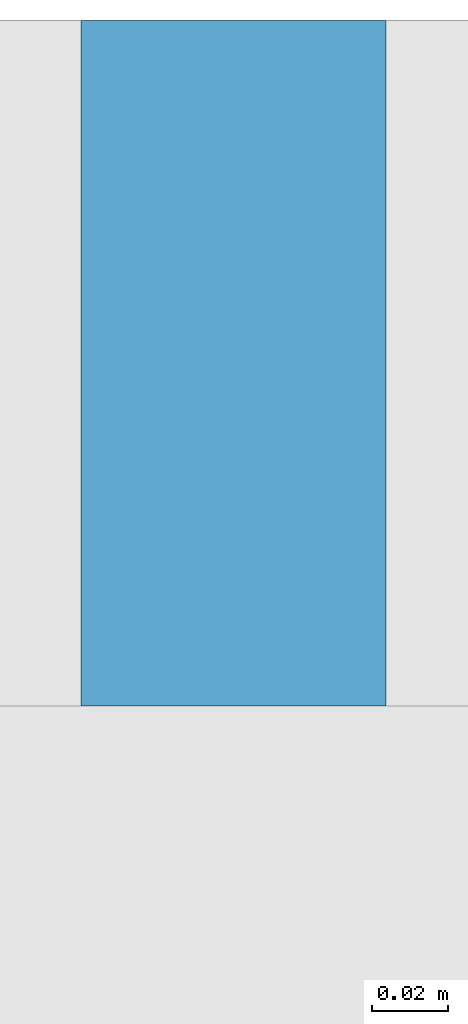
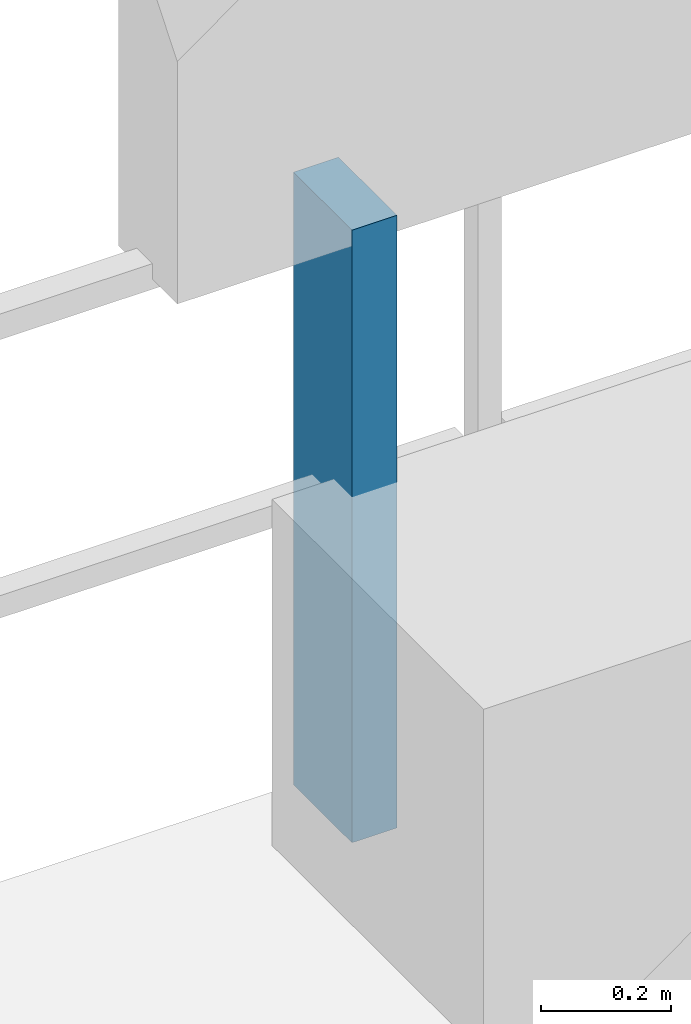
# One storey, part 26 of 31: 1 discrete accessory.
"""IFC4 building model written with IfcOpenShell, lengths in metres."""

import ifcopenshell
import ifcopenshell.guid

model = None  # the IFC model being written
_history = None  # IfcOwnerHistory: only IFC2X3 demands one
_inside = {}  # id of a spatial element -> (the spatial element, [elements in it])
_under = {}  # id of a project, library or spatial element -> (it, [spatial elements below it])
_declared = {}  # id of a project -> (the project, [libraries it declares])
_typed = {}  # id of a type object -> (the type object, [elements of that type])
_made_of = {}  # id of a material, layer set ... -> (it, [elements and type objects made of it])


def new_model(schema):
    """Start an empty IFC model of exactly this schema.

    Asked for "IFC4X3", IfcOpenShell would pick the latest addendum, in which some entities
    have other attributes; the version numbers below select the first issue.
    IFC2X3 requires an IfcOwnerHistory on every rooted entity: one is made here for all.
    """
    global model, _history
    if schema == "IFC4X3":
        model = ifcopenshell.file(schema_version=(4, 3, 0, 0))
    else:
        model = ifcopenshell.file(schema=schema)
    _inside.clear()
    _under.clear()
    _declared.clear()
    _typed.clear()
    _made_of.clear()
    _history = None
    if model.schema == "IFC2X3":
        org = make("IfcOrganization", Name="unknown")
        user = make(
            "IfcPersonAndOrganization",
            ThePerson=make("IfcPerson", FamilyName="unknown"),
            TheOrganization=org,
        )
        app = make(
            "IfcApplication",
            ApplicationDeveloper=org,
            Version="unknown",
            ApplicationFullName="unknown",
            ApplicationIdentifier="unknown",
        )
        _history = make(
            "IfcOwnerHistory",
            OwningUser=user,
            OwningApplication=app,
            ChangeAction="ADDED",
            CreationDate=0,
        )
    return model


def make(cls, **values):
    """One entity of the class cls with the attributes given. An attribute that is None is left unset."""
    return model.create_entity(
        cls, **{name: value for name, value in values.items() if value is not None}
    )


def rooted(cls, **values):
    """An entity with a GlobalId (a new one), such as an element, a storey or a relation."""
    return make(cls, GlobalId=ifcopenshell.guid.new(), OwnerHistory=_history, **values)


def si_unit(unit_type, name, prefix=None):
    """IfcSIUnit, for example si_unit("LENGTHUNIT", "METRE", prefix="MILLI")."""
    return make("IfcSIUnit", UnitType=unit_type, Prefix=prefix, Name=name)


def assignment(units):
    """IfcUnitAssignment: the units of a project."""
    return None if units is None else make("IfcUnitAssignment", Units=units)


def point(xyz):
    """IfcCartesianPoint."""
    return None if xyz is None else make("IfcCartesianPoint", Coordinates=xyz)


def direction(xyz):
    """IfcDirection."""
    return None if xyz is None else make("IfcDirection", DirectionRatios=xyz)


def frame(location, z_axis=None, x_axis=None):
    """IfcAxis2Placement3D, a coordinate frame: its origin and axes. An axis left out is left unset."""
    return make(
        "IfcAxis2Placement3D",
        Location=point(location),
        Axis=direction(z_axis),
        RefDirection=direction(x_axis),
    )


def frame_2d(location, x_axis=None):
    """IfcAxis2Placement2D, a coordinate frame in the plane: its origin and x axis."""
    return make(
        "IfcAxis2Placement2D", Location=point(location), RefDirection=direction(x_axis)
    )


def origin():
    """The frame at (0, 0, 0) with its axes left unset."""
    return frame((0.0, 0.0, 0.0))


def origin_2d():
    """The frame at (0, 0) in the plane with its x axis left unset."""
    return frame_2d((0.0, 0.0))


def place(relative_to, where):
    """IfcLocalPlacement: puts the frame where relative to a parent placement (None: the world)."""
    return make(
        "IfcLocalPlacement", PlacementRelTo=relative_to, RelativePlacement=where
    )


def context(
    kind, dimensions, precision=None, world=None, true_north=None, identifier=None
):
    """IfcGeometricRepresentationContext, for example the 3D "Model" context."""
    return make(
        "IfcGeometricRepresentationContext",
        ContextIdentifier=identifier,
        ContextType=kind,
        CoordinateSpaceDimension=dimensions,
        Precision=precision,
        WorldCoordinateSystem=world,
        TrueNorth=true_north,
    )


def subcontext(parent, identifier, kind, view, scale=None):
    """IfcGeometricRepresentationSubContext, for example "Body" below "Model"."""
    return make(
        "IfcGeometricRepresentationSubContext",
        ContextIdentifier=identifier,
        ContextType=kind,
        ParentContext=parent,
        TargetScale=scale,
        TargetView=view,
    )


def project(units=None, contexts=None):
    """IfcProject with its units and contexts."""
    return rooted(
        "IfcProject",
        Name="project",
        RepresentationContexts=contexts,
        UnitsInContext=assignment(units),
    )


def spatial(cls, under=None, at=None, **own):
    """A site, building, storey or space (cls), placed at a placement, below another one or the project."""
    s = rooted(cls, ObjectPlacement=at, **own)
    if under is not None:
        _under.setdefault(under.id(), (under, []))[1].append(s)
    return s


def profile(cls, at=None, kind="AREA", **sizes):
    """A parametric profile (cls). Its sizes go by their IFC names, for example OverallWidth=200.0."""
    return make(cls, ProfileType=kind, Position=at, **sizes)


def rectangle(**sizes):
    """IfcRectangleProfileDef."""
    return profile("IfcRectangleProfileDef", **sizes)


def extrude(swept, where, along, depth):
    """IfcExtrudedAreaSolid: the profile swept, set in the frame where, extruded along a direction by depth."""
    return make(
        "IfcExtrudedAreaSolid",
        SweptArea=swept,
        Position=where,
        ExtrudedDirection=direction(along),
        Depth=depth,
    )


def shape(context_of_items, identifier, shape_type, items):
    """IfcShapeRepresentation: the items that make up one representation, for example the "Body"."""
    return make(
        "IfcShapeRepresentation",
        ContextOfItems=context_of_items,
        RepresentationIdentifier=identifier,
        RepresentationType=shape_type,
        Items=items,
    )


def material(Name=None, Category=None):
    """IfcMaterial."""
    return make("IfcMaterial", Name=Name, Category=Category)


def made_of(thing, what):
    """Note that an element or type object is made of a material, layer set ...; save() writes the relation."""
    if what is not None:
        _made_of.setdefault(what.id(), (what, []))[1].append(thing)
    return thing


def type_object(cls, material=None, **own):
    """A type object (cls), such as IfcWallType, which elements share."""
    return made_of(rooted(cls, **own), material)


def element(
    cls,
    number,
    at=None,
    inside=None,
    cuts=None,
    type_object=None,
    material=None,
    context=None,
    identifier="Body",
    shape_type=None,
    held_by="IfcProductDefinitionShape",
    body=None,
    shapes=None,
    **own,
):
    """One element of the class cls, such as IfcWall. Its Tag is "e" and its number.

    at: its placement. inside: the storey or other place that contains it. cuts: it is an
    opening in that element (IfcRelVoidsElement). A single representation is given by context,
    identifier, shape_type and body (its items); several are given by shapes. held_by: the class
    of the entity that holds the representations. save() writes the other relations.
    """
    e = rooted(cls, Tag="e%d" % number, ObjectPlacement=at, **own)
    if body is not None:
        shapes = [shape(context, identifier, shape_type, body)]
    if shapes is not None:
        e.Representation = make(held_by, Representations=shapes)
    if inside is not None:
        _inside.setdefault(inside.id(), (inside, []))[1].append(e)
    if cuts is not None:
        rooted(
            "IfcRelVoidsElement", RelatingBuildingElement=cuts, RelatedOpeningElement=e
        )
    if type_object is not None:
        _typed.setdefault(type_object.id(), (type_object, []))[1].append(e)
    return made_of(e, material)


def aggregate(whole, parts):
    """IfcRelAggregates: a whole, such as a stair, and the parts it consists of."""
    return rooted("IfcRelAggregates", RelatingObject=whole, RelatedObjects=parts)


def save(model, path):
    """Write the relations noted so far, then the file.

    IfcRelAggregates (storeys below a building ...), IfcRelContainedInSpatialStructure (elements
    in a storey), IfcRelDefinesByType, IfcRelAssociatesMaterial and IfcRelDeclares: one each for
    every whole, place, type object, material and project.
    """
    for whole, parts in _under.values():
        aggregate(whole, parts)
    for where, things in _inside.values():
        rooted(
            "IfcRelContainedInSpatialStructure",
            RelatedElements=things,
            RelatingStructure=where,
        )
    for kind, things in _typed.values():
        rooted("IfcRelDefinesByType", RelatedObjects=things, RelatingType=kind)
    for what, things in _made_of.values():
        rooted("IfcRelAssociatesMaterial", RelatedObjects=things, RelatingMaterial=what)
    for by, libraries in _declared.values():
        rooted("IfcRelDeclares", RelatingContext=by, RelatedDefinitions=libraries)
    model.write(path)


model = new_model("IFC4")

# Units and contexts
model_context = context("Model", 3, precision=1e-05, world=origin(), true_north=direction((0.0, 1.0)))
body_context = subcontext(model_context, "Body", "Model", "MODEL_VIEW")
ifc_project = project(units=[si_unit("LENGTHUNIT", "METRE"), si_unit("AREAUNIT", "SQUARE_METRE"), si_unit("VOLUMEUNIT", "CUBIC_METRE"), si_unit("PLANEANGLEUNIT", "RADIAN"), si_unit("MASSUNIT", "GRAM", prefix="KILO")], contexts=[model_context])

# Site, building, storey
site_placement = place(None, origin())
site = spatial("IfcSite", under=ifc_project, at=site_placement, CompositionType="ELEMENT")
building_placement = place(site_placement, origin())
building = spatial("IfcBuilding", under=site, at=building_placement, Name="Thornwick Lancets Civic Towers", CompositionType="ELEMENT")
storey_placement = place(building_placement, frame((0.0, 0.0, 90.89990234375)))
storey = spatial("IfcBuildingStorey", under=building, at=storey_placement, Name="L23", CompositionType="ELEMENT", Elevation=90.89990234375)

# Discrete accessory
ifc_material = material(Name="Stainless steel S355", Category="steel")
discrete_accessory_type = type_object("IfcDiscreteAccessoryType", Name="ACC_SCREEN_BRACKET", PredefinedType="BRACKET", material=ifc_material)
discrete_accessory_placement = place(storey_placement, frame((24.050048828125, 52.260009765625, 0.000244140625), z_axis=(0.0, 0.0, 1.0), x_axis=(1.0, 0.0, 0.0)))
element("IfcDiscreteAccessory", 1, at=discrete_accessory_placement, inside=storey, type_object=discrete_accessory_type, Name="L23 Tower A Balcony Screen Stanchion Bracket N-1", PredefinedType="BRACKET", context=body_context, shape_type="SweptSolid", body=[
    extrude(rectangle(XDim=0.080078125, YDim=0.179931640625, at=origin_2d()), origin(), (0.0, 0.0, 1.0), 1.14990234375),
])

save(model, "model.ifc")
